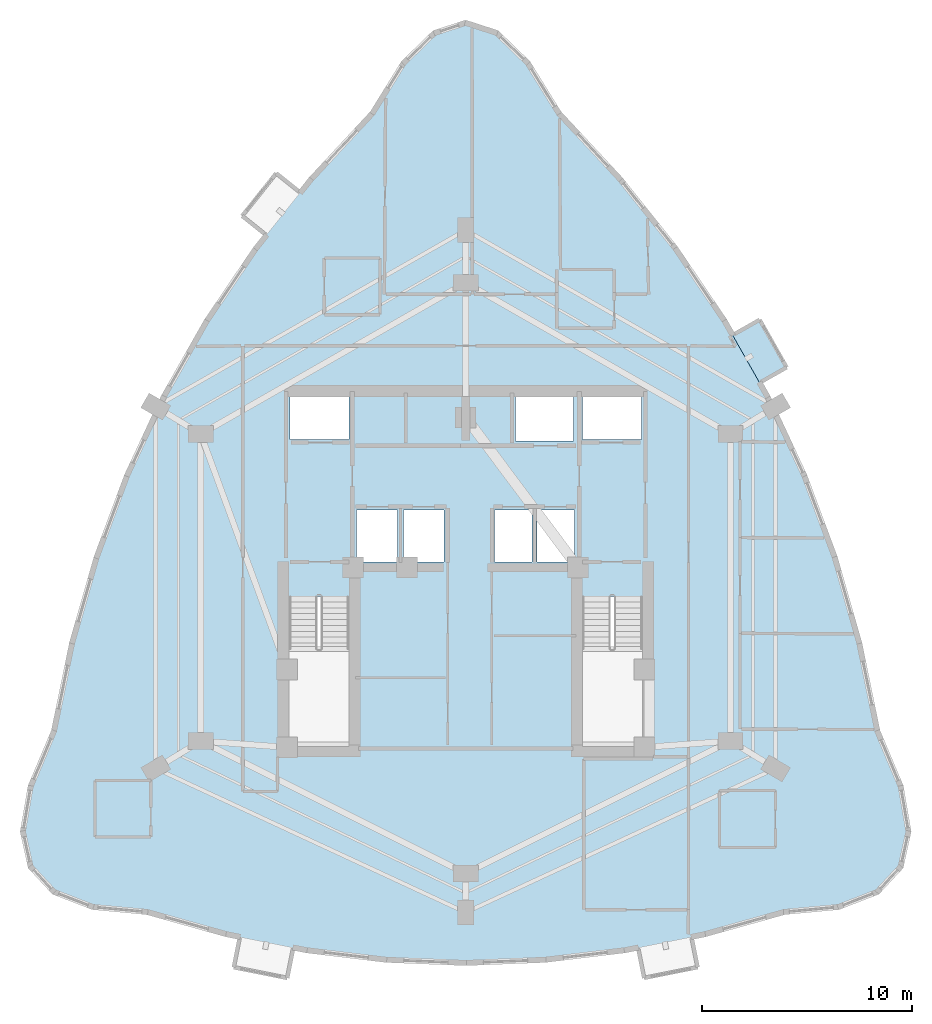
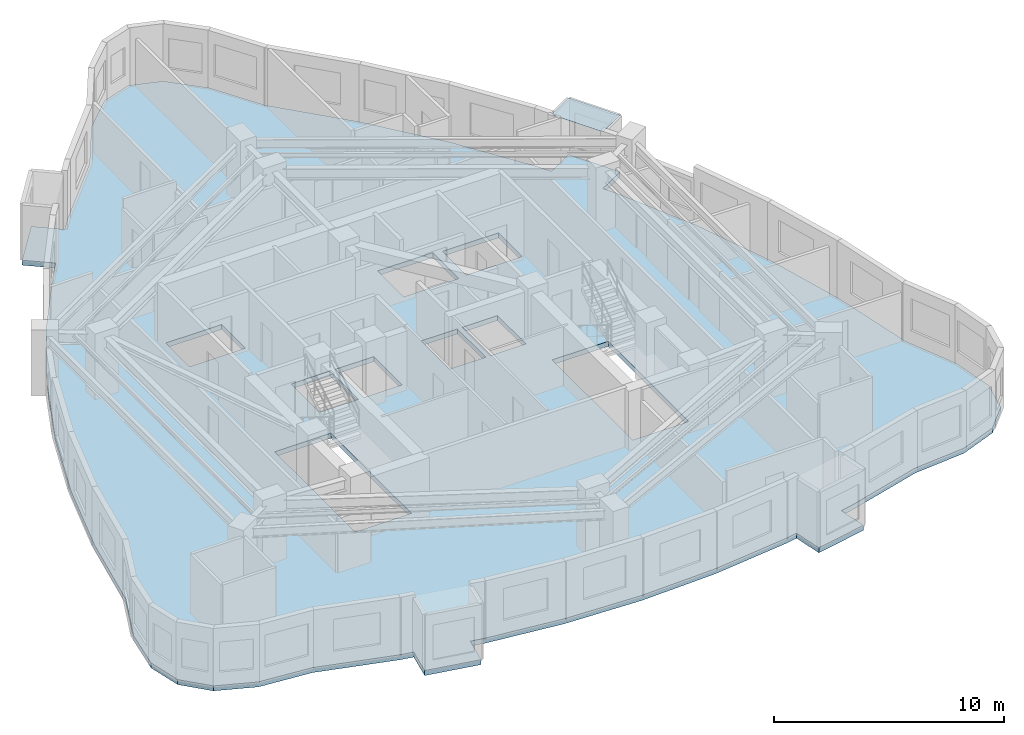
# One storey, part 2 of 9: 1 plate, 1 slab.
"""IFC4 building model written with IfcOpenShell, lengths in metres."""

from ifc_helpers import new_model, si_unit, direction, frame, origin, place, context, subcontext, project, spatial, polyline, outline, extrude, material, layer, layer_set, type_object, element, save


model = new_model("IFC4")

# Units and contexts
model_context = context("Model", 3, precision=1e-05, world=origin(), true_north=direction((0.0, 1.0)))
body_context = subcontext(model_context, "Body", "Model", "MODEL_VIEW")
ifc_project = project(units=[si_unit("LENGTHUNIT", "METRE"), si_unit("AREAUNIT", "SQUARE_METRE"), si_unit("VOLUMEUNIT", "CUBIC_METRE"), si_unit("PLANEANGLEUNIT", "RADIAN"), si_unit("MASSUNIT", "GRAM", prefix="KILO")], contexts=[model_context])

# Site, building, storey
site_placement = place(None, origin())
site = spatial("IfcSite", under=ifc_project, at=site_placement, CompositionType="ELEMENT")
building_placement = place(site_placement, origin())
building = spatial("IfcBuilding", under=site, at=building_placement, Name="Miruveldt Soraemaru", CompositionType="ELEMENT")
storey_placement = place(building_placement, frame((0.0, 0.0, 180.89990234375)))
storey = spatial("IfcBuildingStorey", under=building, at=storey_placement, Name="L50", CompositionType="ELEMENT", Elevation=180.89990234375)

# Plate
ifc_material_1 = material(Name="Standing-seam titanium-zinc sheet", Category="aluminium")
ifc_layer_1 = layer(ifc_material_1, 0.011962890625, Name="Standing-seam titanium-zinc sheet", Category="aluminium")
ifc_layer_set_1 = layer_set([ifc_layer_1], Name="Standing-seam titanium-zinc sheet")
plate_type = type_object("IfcPlateType", Name="PLT-ZINC-12", PredefinedType="SHEET", material=ifc_layer_set_1)
plate_placement = place(storey_placement, frame((0.0, 0.0, 3.0)))
element("IfcPlate", 1, at=plate_placement, inside=storey, type_object=plate_type, Name="L50 Bay Window Zinc Hood Sheet 3", PredefinedType="SHEET", context=body_context, shape_type="SweptSolid", body=[
    extrude(outline(polyline([(57.9794921875, 52.8447265625), (56.69677734375, 55.1064453125), (57.98388671875, 55.836669921875), (59.2666015625, 53.574951171875), (57.9794921875, 52.8447265625)])), origin(), (0.0, 0.0, 1.0), 0.01220703125),
])

# Slab
ifc_material_2 = material(Name="Concrete C40/50 (40 MPa)", Category="concrete")
ifc_layer_2 = layer(ifc_material_2, 0.264892578125, Name="Concrete C40/50 (40 MPa)", Category="concrete")
ifc_layer_set_2 = layer_set([ifc_layer_2], Name="Concrete C40/50 (40 MPa)")
slab_type = type_object("IfcSlabType", Name="SLAB-RES2-265", PredefinedType="FLOOR", material=ifc_layer_set_2)
slab_placement = place(storey_placement, frame((0.0, 0.0, -0.264892578125)))
element("IfcSlab", 2, at=slab_placement, inside=storey, type_object=slab_type, Name="L50 Structural Floor Slab", PredefinedType="FLOOR", context=body_context, shape_type="SweptSolid", body=[
    extrude(outline(polyline([(32.964599609375, 25.035888671875), (33.254638671875, 26.4873046875), (34.529541015625, 26.232421875), (32.635498046875, 26.611083984375), (28.84716796875, 27.671875), (26.2626953125, 27.91064453125), (24.41650390625, 28.626708984375), (23.30908203125, 29.820556640625), (22.939697265625, 31.49169921875), (23.30908203125, 33.640380859375), (24.41650390625, 36.2666015625), (25.281982421875, 40.471435546875), (26.441162109375, 44.5244140625), (27.894287109375, 48.42626953125), (29.641357421875, 52.17626953125), (31.6826171875, 55.77490234375), (34.017578125, 59.221923828125), (34.521240234375, 59.853515625), (33.3642578125, 60.776611328125), (34.985595703125, 62.80908203125), (36.142578125, 61.885986328125), (35.33203125, 60.86962890625), (36.646484375, 62.517578125), (39.5693359375, 65.66162109375), (41.04638671875, 68.049072265625), (42.523193359375, 69.4814453125), (44.0, 69.958984375), (45.476806640625, 69.4814453125), (46.95361328125, 68.049072265625), (48.4306640625, 65.66162109375), (51.353515625, 62.517578125), (53.982421875, 59.221923828125), (56.3173828125, 55.77490234375), (57.337890625, 53.9755859375), (56.69677734375, 55.1064453125), (57.98388671875, 55.836669921875), (59.2666015625, 53.574951171875), (57.9794921875, 52.8447265625), (58.358642578125, 52.17626953125), (60.105712890625, 48.42626953125), (61.558837890625, 44.5244140625), (62.718017578125, 40.471435546875), (63.58349609375, 36.2666015625), (64.69091796875, 33.640380859375), (65.060302734375, 31.49169921875), (64.69091796875, 29.820556640625), (63.58349609375, 28.626708984375), (61.7373046875, 27.91064453125), (59.15283203125, 27.671875), (55.364501953125, 26.611083984375), (53.470458984375, 26.232421875), (54.745361328125, 26.4873046875), (55.035400390625, 25.035888671875), (52.48583984375, 24.526123046875), (52.19580078125, 25.977294921875), (51.576416015625, 25.853515625), (47.7880859375, 25.39892578125), (44.0, 25.247314453125), (40.2119140625, 25.39892578125), (36.423583984375, 25.853515625), (35.80419921875, 25.977294921875), (35.51416015625, 24.526123046875), (32.964599609375, 25.035888671875)]), holes=[polyline([(35.614990234375, 35.6650390625), (38.43505859375, 35.6650390625), (38.43505859375, 42.68505859375), (35.614990234375, 42.68505859375), (35.614990234375, 35.6650390625)]), polyline([(49.56494140625, 35.6650390625), (52.385009765625, 35.6650390625), (52.385009765625, 42.68505859375), (49.56494140625, 42.68505859375), (49.56494140625, 35.6650390625)]), polyline([(40.764892578125, 44.31494140625), (40.764892578125, 46.784912109375), (38.81494140625, 46.784912109375), (38.81494140625, 44.31494140625), (40.764892578125, 44.31494140625)]), polyline([(42.965087890625, 44.31494140625), (42.965087890625, 46.784912109375), (41.034912109375, 46.784912109375), (41.034912109375, 44.31494140625), (42.965087890625, 44.31494140625)]), polyline([(47.1650390625, 44.31494140625), (47.1650390625, 46.784912109375), (45.364990234375, 46.784912109375), (45.364990234375, 44.31494140625), (47.1650390625, 44.31494140625)]), polyline([(49.18505859375, 44.31494140625), (49.18505859375, 46.784912109375), (47.39501953125, 46.784912109375), (47.39501953125, 44.31494140625), (49.18505859375, 44.31494140625)]), polyline([(38.445068359375, 50.135009765625), (38.445068359375, 52.205078125), (35.635009765625, 52.205078125), (35.635009765625, 50.135009765625), (38.445068359375, 50.135009765625)]), polyline([(49.554931640625, 50.135009765625), (52.364990234375, 50.135009765625), (52.364990234375, 52.205078125), (49.554931640625, 52.205078125), (49.554931640625, 50.135009765625)]), polyline([(46.364990234375, 50.06494140625), (49.135009765625, 50.06494140625), (49.135009765625, 52.3349609375), (46.364990234375, 52.3349609375), (46.364990234375, 50.06494140625)])]), origin(), (0.0, 0.0, 1.0), 0.264892578125),
])

save(model, "model.ifc")
